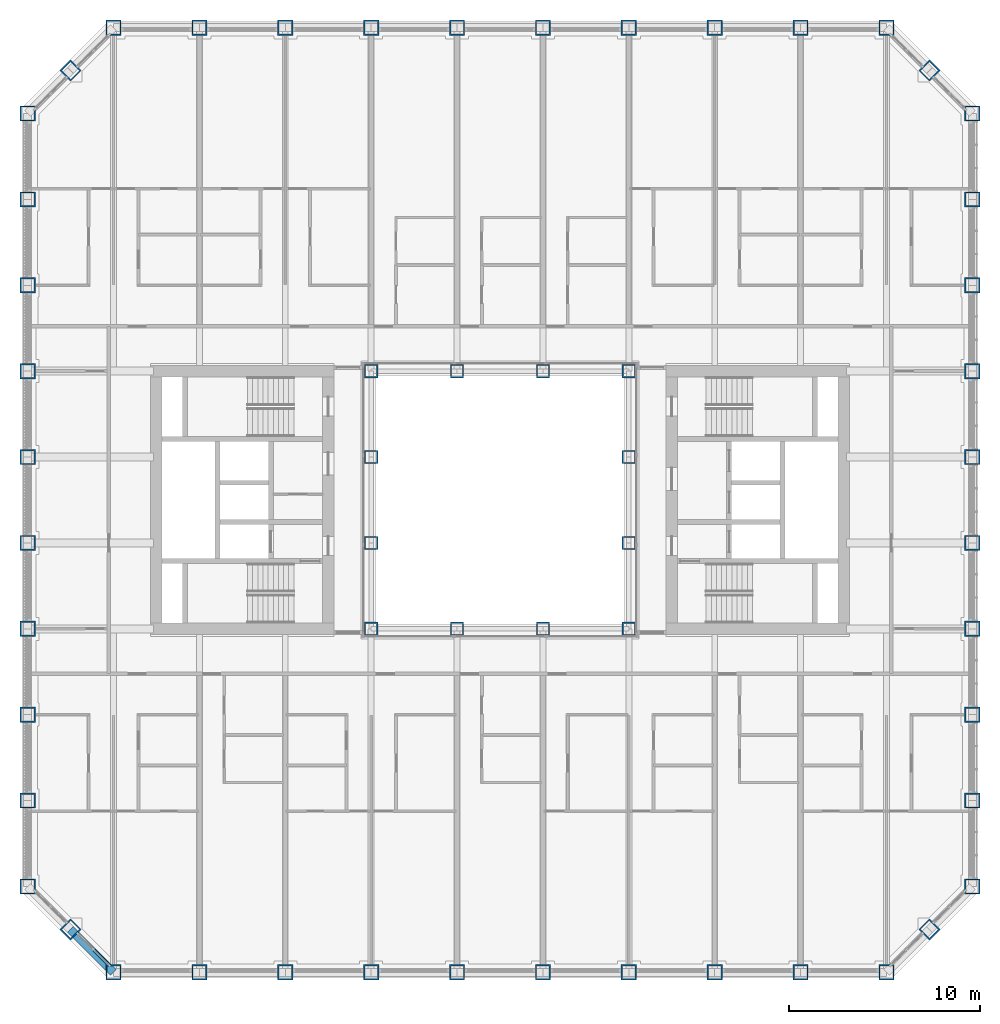
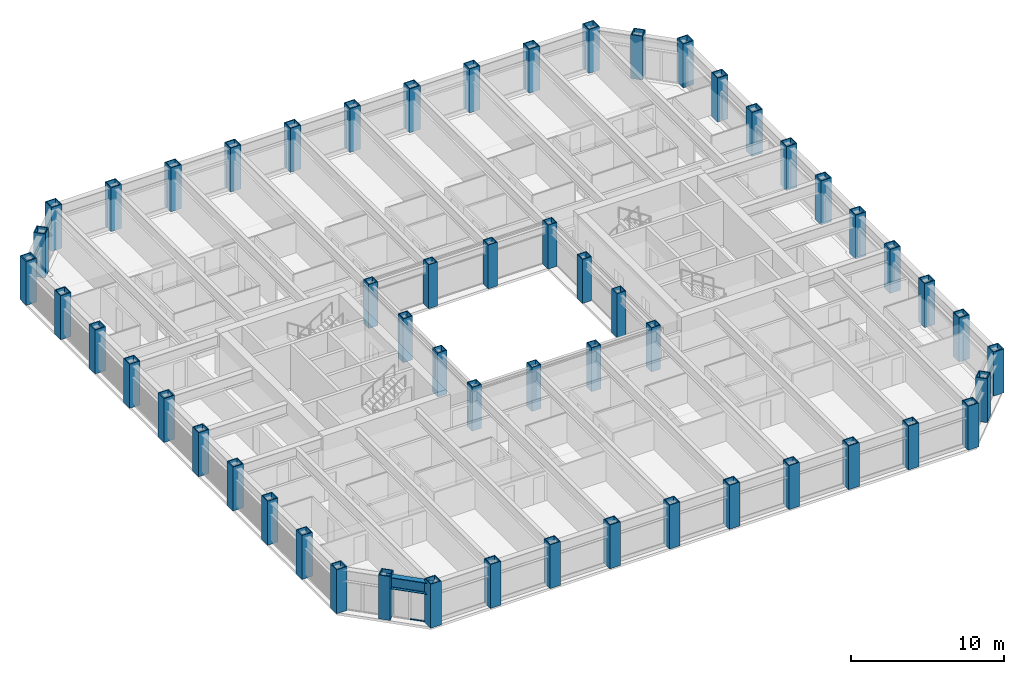
# One storey, part 1 of 21: 56 columns, 2 members, 1 beam, 1 element without a shape of its own.
"""IFC4 building model written with IfcOpenShell, lengths in metres."""

from ifc_helpers import new_model, si_unit, direction, frame, origin, origin_2d, place, context, subcontext, project, spatial, rectangle, hollow_rectangle, i_section, extrude, material, material_profile, profile_set, type_object, element, aggregate, save


model = new_model("IFC4")

# Units and contexts
model_context = context("Model", 3, precision=1e-05, world=origin(), true_north=direction((0.0, 1.0)))
body_context = subcontext(model_context, "Body", "Model", "MODEL_VIEW")
ifc_project = project(units=[si_unit("LENGTHUNIT", "METRE"), si_unit("AREAUNIT", "SQUARE_METRE"), si_unit("VOLUMEUNIT", "CUBIC_METRE"), si_unit("PLANEANGLEUNIT", "RADIAN"), si_unit("MASSUNIT", "GRAM", prefix="KILO")], contexts=[model_context])

# Site, building, storey
site_placement = place(None, origin())
site = spatial("IfcSite", under=ifc_project, at=site_placement, CompositionType="ELEMENT")
building_placement = place(site_placement, origin())
building = spatial("IfcBuilding", under=site, at=building_placement, Name="Msasa Ring Tower", CompositionType="ELEMENT")
storey_placement = place(building_placement, frame((0.0, 0.0, 44.0)))
storey = spatial("IfcBuildingStorey", under=building, at=storey_placement, Name="L10", CompositionType="ELEMENT", Elevation=44.0)

# Columns
ifc_material_1 = material(Name="Steel S355", Category="steel")
ifc_material_profile_1 = material_profile(ifc_material_1, hollow_rectangle(XDim=0.699951171875, YDim=0.699951171875, WallThickness=0.06005859375, at=origin_2d()), Name="BOX 700x700x60")
ifc_profile_set_1 = profile_set([ifc_material_profile_1], Name="Steel S355")
column_type_1 = type_object("IfcColumnType", Name="IC2 BOX 700x700x60", PredefinedType="COLUMN", material=ifc_profile_set_1)
for number, where, z_axis, x_axis, name in (
    (1, (-6.75, -6.75, 0.0), (0.0, 0.0, 1.0), (1.0, 0.0, 0.0), "Inner ring column IR-6.75-6.75 L10"),
    (2, (-6.75, -2.25, 0.0), (0.0, 0.0, 1.0), (1.0, 0.0, 0.0), "Inner ring column IR-6.75-2.25 L10"),
    (3, (-6.75, 2.25, 0.0), (0.0, 0.0, 1.0), (1.0, 0.0, 0.0), "Inner ring column IR-6.75+2.25 L10"),
    (4, (-6.75, 6.75, 0.0), (0.0, 0.0, 1.0), (1.0, 0.0, 0.0), "Inner ring column IR-6.75+6.75 L10"),
    (5, (-2.25, -6.75, 0.0), (0.0, 0.0, 1.0), (1.0, 0.0, 0.0), "Inner ring column IR-2.25-6.75 L10"),
    (6, (-2.25, 6.75, 0.0), (0.0, 0.0, 1.0), (1.0, 0.0, 0.0), "Inner ring column IR-2.25+6.75 L10"),
    (7, (2.25, -6.75, 0.0), (0.0, 0.0, 1.0), (1.0, 0.0, 0.0), "Inner ring column IR+2.25-6.75 L10"),
    (8, (2.25, 6.75, 0.0), (0.0, 0.0, 1.0), (1.0, 0.0, 0.0), "Inner ring column IR+2.25+6.75 L10"),
    (9, (6.75, -6.75, 0.0), (0.0, 0.0, 1.0), (1.0, 0.0, 0.0), "Inner ring column IR+6.75-6.75 L10"),
    (10, (6.75, -2.25, 0.0), (0.0, 0.0, 1.0), (1.0, 0.0, 0.0), "Inner ring column IR+6.75-2.25 L10"),
    (11, (6.75, 2.25, 0.0), (0.0, 0.0, 1.0), (1.0, 0.0, 0.0), "Inner ring column IR+6.75+2.25 L10"),
    (12, (6.75, 6.75, 0.0), (0.0, 0.0, 1.0), (1.0, 0.0, 0.0), "Inner ring column IR+6.75+6.75 L10"),
):
    element("IfcColumn", number, at=place(storey_placement, frame(where, z_axis=z_axis, x_axis=x_axis)), inside=storey, type_object=column_type_1, Name=name, PredefinedType="COLUMN", context=body_context, shape_type="SweptSolid", body=[
        extrude(hollow_rectangle(XDim=0.699951171875, YDim=0.699951171875, WallThickness=0.06005859375, at=origin_2d()), origin(), (0.0, 0.0, 1.0), 3.5),
    ])
ifc_material_2 = material(Name="Steel S355", Category="steel")
ifc_material_profile_2 = material_profile(ifc_material_2, hollow_rectangle(XDim=0.800048828125, YDim=0.800048828125, WallThickness=0.070068359375, at=origin_2d()), Name="BOX 800x800x70")
ifc_profile_set_2 = profile_set([ifc_material_profile_2], Name="Steel S355")
column_type_2 = type_object("IfcColumnType", Name="TC2 BOX 800x800x70", PredefinedType="COLUMN", material=ifc_profile_set_2)
for number, where, z_axis, x_axis, name in (
    (13, (-20.25, -24.75, 0.0), (0.0, 0.0, 1.0), (0.0, 1.0, 0.0), "Tube column S-20.25 L10"),
    (14, (-20.25, 24.75, 0.0), (0.0, 0.0, 1.0), (0.0, 1.0, 0.0), "Tube column N-20.25 L10"),
    (15, (24.75, -20.25, 0.0), (0.0, 0.0, 1.0), (1.0, 0.0, 0.0), "Tube column E-20.25 L10"),
    (16, (-24.75, -20.25, 0.0), (0.0, 0.0, 1.0), (1.0, 0.0, 0.0), "Tube column W-20.25 L10"),
    (17, (-15.75, -24.75, 0.0), (0.0, 0.0, 1.0), (0.0, 1.0, 0.0), "Tube column S-15.75 L10"),
    (18, (-15.75, 24.75, 0.0), (0.0, 0.0, 1.0), (0.0, 1.0, 0.0), "Tube column N-15.75 L10"),
    (19, (24.75, -15.75, 0.0), (0.0, 0.0, 1.0), (1.0, 0.0, 0.0), "Tube column E-15.75 L10"),
    (20, (-24.75, -15.75, 0.0), (0.0, 0.0, 1.0), (1.0, 0.0, 0.0), "Tube column W-15.75 L10"),
    (21, (-11.25, -24.75, 0.0), (0.0, 0.0, 1.0), (0.0, 1.0, 0.0), "Tube column S-11.25 L10"),
    (22, (-11.25, 24.75, 0.0), (0.0, 0.0, 1.0), (0.0, 1.0, 0.0), "Tube column N-11.25 L10"),
    (23, (24.75, -11.25, 0.0), (0.0, 0.0, 1.0), (1.0, 0.0, 0.0), "Tube column E-11.25 L10"),
    (24, (-24.75, -11.25, 0.0), (0.0, 0.0, 1.0), (1.0, 0.0, 0.0), "Tube column W-11.25 L10"),
    (25, (-6.75, -24.75, 0.0), (0.0, 0.0, 1.0), (0.0, 1.0, 0.0), "Tube column S-6.75 L10"),
    (26, (-6.75, 24.75, 0.0), (0.0, 0.0, 1.0), (0.0, 1.0, 0.0), "Tube column N-6.75 L10"),
    (27, (24.75, -6.75, 0.0), (0.0, 0.0, 1.0), (1.0, 0.0, 0.0), "Tube column E-6.75 L10"),
    (28, (-24.75, -6.75, 0.0), (0.0, 0.0, 1.0), (1.0, 0.0, 0.0), "Tube column W-6.75 L10"),
    (29, (-2.25, -24.75, 0.0), (0.0, 0.0, 1.0), (0.0, 1.0, 0.0), "Tube column S-2.25 L10"),
    (30, (-2.25, 24.75, 0.0), (0.0, 0.0, 1.0), (0.0, 1.0, 0.0), "Tube column N-2.25 L10"),
    (31, (24.75, -2.25, 0.0), (0.0, 0.0, 1.0), (1.0, 0.0, 0.0), "Tube column E-2.25 L10"),
    (32, (-24.75, -2.25, 0.0), (0.0, 0.0, 1.0), (1.0, 0.0, 0.0), "Tube column W-2.25 L10"),
    (33, (2.25, -24.75, 0.0), (0.0, 0.0, 1.0), (0.0, 1.0, 0.0), "Tube column S+2.25 L10"),
    (34, (2.25, 24.75, 0.0), (0.0, 0.0, 1.0), (0.0, 1.0, 0.0), "Tube column N+2.25 L10"),
    (35, (24.75, 2.25, 0.0), (0.0, 0.0, 1.0), (1.0, 0.0, 0.0), "Tube column E+2.25 L10"),
    (36, (-24.75, 2.25, 0.0), (0.0, 0.0, 1.0), (1.0, 0.0, 0.0), "Tube column W+2.25 L10"),
    (37, (6.75, -24.75, 0.0), (0.0, 0.0, 1.0), (0.0, 1.0, 0.0), "Tube column S+6.75 L10"),
    (38, (6.75, 24.75, 0.0), (0.0, 0.0, 1.0), (0.0, 1.0, 0.0), "Tube column N+6.75 L10"),
    (39, (24.75, 6.75, 0.0), (0.0, 0.0, 1.0), (1.0, 0.0, 0.0), "Tube column E+6.75 L10"),
    (40, (-24.75, 6.75, 0.0), (0.0, 0.0, 1.0), (1.0, 0.0, 0.0), "Tube column W+6.75 L10"),
    (41, (11.25, -24.75, 0.0), (0.0, 0.0, 1.0), (0.0, 1.0, 0.0), "Tube column S+11.25 L10"),
    (42, (11.25, 24.75, 0.0), (0.0, 0.0, 1.0), (0.0, 1.0, 0.0), "Tube column N+11.25 L10"),
    (43, (24.75, 11.25, 0.0), (0.0, 0.0, 1.0), (1.0, 0.0, 0.0), "Tube column E+11.25 L10"),
    (44, (-24.75, 11.25, 0.0), (0.0, 0.0, 1.0), (1.0, 0.0, 0.0), "Tube column W+11.25 L10"),
    (45, (15.75, -24.75, 0.0), (0.0, 0.0, 1.0), (0.0, 1.0, 0.0), "Tube column S+15.75 L10"),
    (46, (15.75, 24.75, 0.0), (0.0, 0.0, 1.0), (0.0, 1.0, 0.0), "Tube column N+15.75 L10"),
    (47, (24.75, 15.75, 0.0), (0.0, 0.0, 1.0), (1.0, 0.0, 0.0), "Tube column E+15.75 L10"),
    (48, (-24.75, 15.75, 0.0), (0.0, 0.0, 1.0), (1.0, 0.0, 0.0), "Tube column W+15.75 L10"),
    (49, (20.25, -24.75, 0.0), (0.0, 0.0, 1.0), (0.0, 1.0, 0.0), "Tube column S+20.25 L10"),
    (50, (20.25, 24.75, 0.0), (0.0, 0.0, 1.0), (0.0, 1.0, 0.0), "Tube column N+20.25 L10"),
    (51, (24.75, 20.25, 0.0), (0.0, 0.0, 1.0), (1.0, 0.0, 0.0), "Tube column E+20.25 L10"),
    (52, (-24.75, 20.25, 0.0), (0.0, 0.0, 1.0), (1.0, 0.0, 0.0), "Tube column W+20.25 L10"),
    (53, (22.5, -22.5, 0.0), (0.0, 0.0, 1.0), (0.707106781187, -0.707106781187, 0.0), "Tube column SE L10"),
    (54, (22.5, 22.5, 0.0), (0.0, 0.0, 1.0), (0.707106781187, 0.707106781187, 0.0), "Tube column NE L10"),
    (55, (-22.5, 22.5, 0.0), (0.0, 0.0, 1.0), (0.707106781187, -0.707106781187, 0.0), "Tube column NW L10"),
    (56, (-22.5, -22.5, 0.0), (0.0, 0.0, 1.0), (0.707106781187, 0.707106781187, 0.0), "Tube column SW L10"),
):
    element("IfcColumn", number, at=place(storey_placement, frame(where, z_axis=z_axis, x_axis=x_axis)), inside=storey, type_object=column_type_2, Name=name, PredefinedType="COLUMN", context=body_context, shape_type="SweptSolid", body=[
        extrude(hollow_rectangle(XDim=0.800048828125, YDim=0.800048828125, WallThickness=0.070068359375, at=origin_2d()), origin(), (0.0, 0.0, 1.0), 3.5),
    ])

# Curtain wall, members
ifc_material_3 = material(Name="Aluminium curtain wall with clear glass", Category="aluminium")
curtain_wall_type = type_object("IfcCurtainWallType", Name="CW-C CHAMFER CORNER CURTAIN WALL", PredefinedType="NOTDEFINED", material=ifc_material_3)
curtain_wall_placement = place(storey_placement, origin())
curtain_wall = element("IfcCurtainWall", 57, at=curtain_wall_placement, inside=storey, type_object=curtain_wall_type, Name="Chamfer corner curtain wall SW L10", PredefinedType="NOTDEFINED")
ifc_material_4 = material(Name="Aluminium transom", Category="aluminium")
ifc_material_profile_3 = material_profile(ifc_material_4, rectangle(XDim=0.139892578125, YDim=0.06494140625, at=origin_2d()), Name="AL 65x140")
ifc_profile_set_3 = profile_set([ifc_material_profile_3], Name="Aluminium transom")
member_type = type_object("IfcMemberType", Name="CW-C TRANSOM 65x140", PredefinedType="USERDEFINED", material=ifc_profile_set_3)
member_1_placement = place(storey_placement, frame((-21.28125, -23.577392578125, 0.032470703125), z_axis=(0.707106781187, -0.707106781187, 0.0), x_axis=(0.707106781187, 0.707106781187, 0.0)))
member_1 = element("IfcMember", 58, at=member_1_placement, type_object=member_type, Name="CW-C transom 2.1", ObjectType="TRANSOM", PredefinedType="USERDEFINED", context=body_context, shape_type="SweptSolid", body=[
    extrude(rectangle(XDim=0.139892578125, YDim=0.06494140625, at=origin_2d()), origin(), (0.0, 0.0, 1.0), 1.08837890625),
])
member_2_placement = place(storey_placement, frame((-21.28125, -23.577392578125, 2.346435546875), z_axis=(0.707106781187, -0.707106781187, 0.0), x_axis=(0.707106781187, 0.707106781187, 0.0)))
member_2 = element("IfcMember", 59, at=member_2_placement, type_object=member_type, Name="CW-C transom 2.2", ObjectType="TRANSOM", PredefinedType="USERDEFINED", context=body_context, shape_type="SweptSolid", body=[
    extrude(rectangle(XDim=0.139892578125, YDim=0.06494140625, at=origin_2d()), origin(), (0.0, 0.0, 1.0), 1.08837890625),
])
aggregate(curtain_wall, [member_1, member_2])

# Beam
ifc_material_5 = material(Name="Steel S355", Category="steel")
ifc_material_profile_4 = material_profile(ifc_material_5, i_section(OverallWidth=0.42041015625, OverallDepth=0.9208984375, WebThickness=0.021484375, FlangeThickness=0.03662109375, FilletRadius=0.024169921875, at=origin_2d()), Name="UB 914x419x388")
ifc_profile_set_4 = profile_set([ifc_material_profile_4], Name="Steel S355")
beam_type = type_object("IfcBeamType", Name="SB1 UB 914x419x388", PredefinedType="SPANDREL", material=ifc_profile_set_4)
beam_placement = place(storey_placement, frame((-22.5, -22.5, 2.839599609375), z_axis=(0.707106781187, -0.707106781187, 0.0), x_axis=(0.707106781187, 0.707106781187, 0.0)))
element("IfcBeam", 60, at=beam_placement, inside=storey, type_object=beam_type, Name="Spandrel SW to S-20.25 under L11", PredefinedType="SPANDREL", context=body_context, shape_type="SweptSolid", body=[
    extrude(i_section(OverallWidth=0.42041015625, OverallDepth=0.9208984375, WebThickness=0.021484375, FlangeThickness=0.03662109375, FilletRadius=0.024169921875, at=origin_2d()), origin(), (0.0, 0.0, 1.0), 3.181884765625),
])

save(model, "model.ifc")
